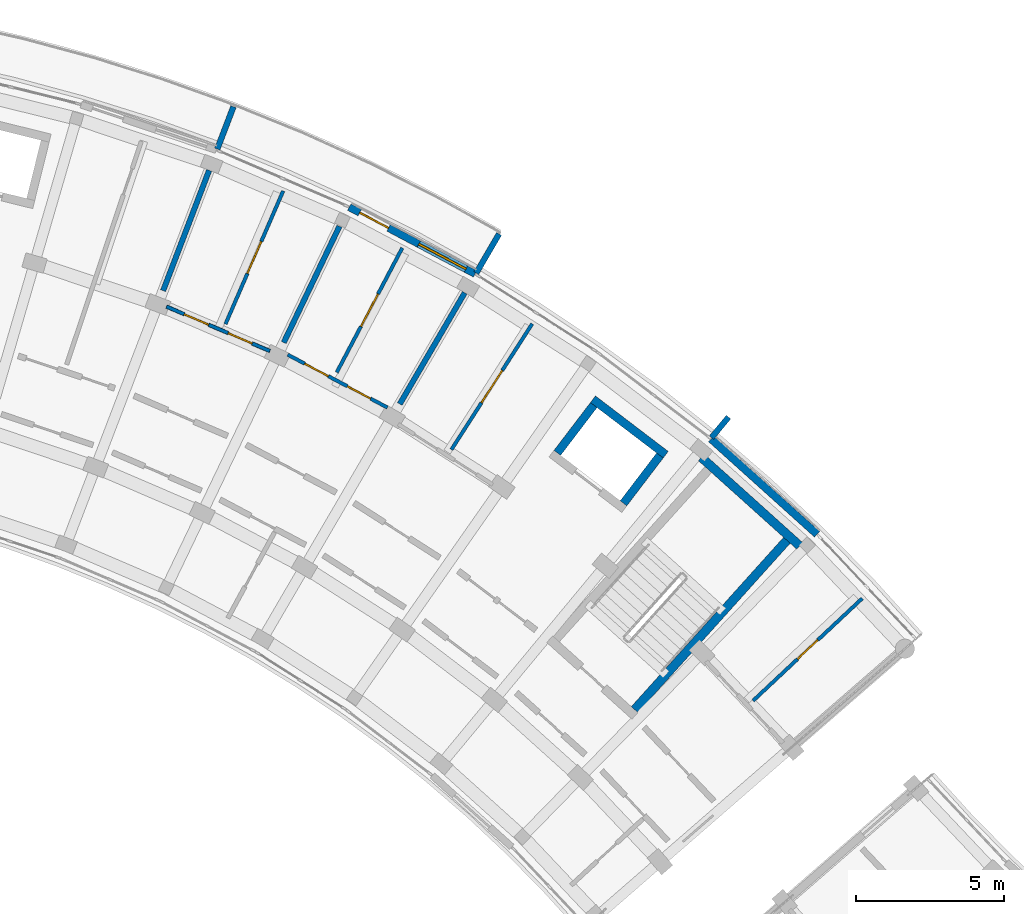
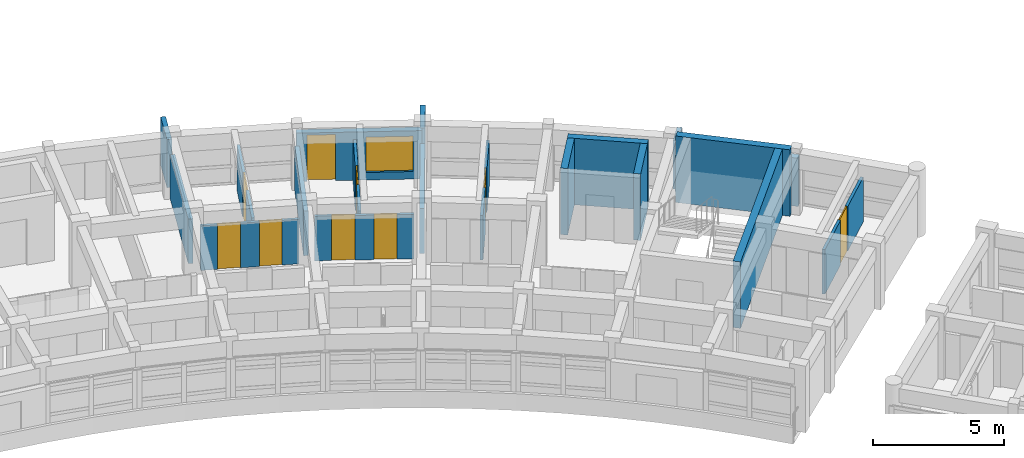
# One storey, part 38 of 50: 19 walls, 9 doors, 1 window, 10 openings.
"""IFC4 building model written with IfcOpenShell, lengths in metres."""

from ifc_helpers import new_model, si_unit, direction, frame, frame_2d, origin, place, context, subcontext, project, spatial, rectangle, extrude, material, layer, layer_set, type_object, element, fill, save


model = new_model("IFC4")

# Units and contexts
model_context = context("Model", 3, precision=1e-05, world=origin(), true_north=direction((0.0, 1.0)))
body_context = subcontext(model_context, "Body", "Model", "MODEL_VIEW")
ifc_project = project(units=[si_unit("LENGTHUNIT", "METRE"), si_unit("AREAUNIT", "SQUARE_METRE"), si_unit("VOLUMEUNIT", "CUBIC_METRE"), si_unit("PLANEANGLEUNIT", "RADIAN"), si_unit("MASSUNIT", "GRAM", prefix="KILO")], contexts=[model_context])

# Site, building, storey
site_placement = place(None, origin())
site = spatial("IfcSite", under=ifc_project, at=site_placement, CompositionType="ELEMENT")
building_placement = place(site_placement, origin())
building = spatial("IfcBuilding", under=site, at=building_placement, Name="Zimvara Arc Housing Community", CompositionType="ELEMENT")
storey_placement = place(building_placement, frame((0.0, 0.0, 26.699951171875)))
storey = spatial("IfcBuildingStorey", under=building, at=storey_placement, Name="L08", CompositionType="ELEMENT", Elevation=26.699951171875)

# Walls
ifc_material_1 = material(Name="Board-Marked Fair-Faced Concrete C35/45", Category="concrete")
ifc_layer_1 = layer(ifc_material_1, 0.195068359375)
ifc_layer_set_1 = layer_set([ifc_layer_1], Name="Board-Marked Fair-Faced Concrete C35/45")
wall_type_1 = type_object("IfcWallType", Name="EWL-PARA-195", PredefinedType="PARAPET", material=ifc_layer_set_1)
for number, where, z_axis, x_axis, name in (
    (1, (66.216796875, 100.0029296875, 0.0), (0.0, 0.0, 1.0), (0.356957296461, 0.934120703391, 0.0), "finwall:blkB:L08:out:b4"),
    (2, (74.961181640625, 95.8134765625, 0.0), (0.0, 0.0, 1.0), (0.504228145431, 0.863570481985, 0.0), "finwall:blkB:L08:out:b6"),
):
    element("IfcWall", number, at=place(storey_placement, frame(where, z_axis=z_axis, x_axis=x_axis)), inside=storey, type_object=wall_type_1, Name=name, PredefinedType="PARAPET", context=body_context, shape_type="SweptSolid", body=[
        extrude(rectangle(XDim=1.530029296875, YDim=0.195068359375, at=frame_2d((0.76513671875, 0.0))), origin(), (0.0, 0.0, 1.0), 2.25),
    ])
wall_1_placement = place(storey_placement, frame((82.90771484375, 90.25732421875, 0.0), z_axis=(0.0, 0.0, 1.0), x_axis=(0.637967316825, 0.770063440674, 0.0)))
element("IfcWall", 3, at=wall_1_placement, inside=storey, type_object=wall_type_1, Name="finwall:blkB:L08:out:b8", PredefinedType="PARAPET", context=body_context, shape_type="SweptSolid", body=[
    extrude(rectangle(XDim=0.900146484375, YDim=0.195068359375, at=frame_2d((0.4501953125, 0.0))), origin(), (0.0, 0.0, 1.0), 2.25),
])

# Wall, openings, door, window
ifc_material_2 = material(Name="Board-Marked Fair-Faced Concrete C35/45", Category="concrete")
ifc_layer_2 = layer(ifc_material_2, 0.248046875)
ifc_layer_set_2 = layer_set([ifc_layer_2], Name="Board-Marked Fair-Faced Concrete C35/45")
wall_type_2 = type_object("IfcWallType", Name="EWL-VAR-17", PredefinedType="SOLIDWALL", material=ifc_layer_set_2)
wall_2_placement = place(storey_placement, frame((70.6748046875, 98.04150390625, 0.0), z_axis=(0.0, 0.0, 1.0), x_axis=(0.883448093208, -0.468529045639, 0.0)))
wall_2 = element("IfcWall", 4, at=wall_2_placement, inside=storey, type_object=wall_type_2, Name="ewall:blkB:L08:out:b5", PredefinedType="SOLIDWALL", context=body_context, shape_type="SweptSolid", body=[
    extrude(rectangle(XDim=4.80908203125, YDim=0.248046875, at=frame_2d((2.404541015625, 0.0))), origin(), (0.0, 0.0, 1.0), 2.25),
])
opening_1_placement = place(wall_2_placement, frame((0.39990234375, 0.0, 0.0)))
opening_1 = element("IfcOpeningElement", 5, at=opening_1_placement, cuts=wall_2, Name="Opening ED06", PredefinedType="OPENING", context=body_context, shape_type="SweptSolid", body=[
    extrude(rectangle(XDim=1.10009765625, YDim=2.14990234375, at=frame_2d((0.550048828125, 1.074951171875))), frame((0.0, 0.134033203125, 0.0), z_axis=(0.0, -1.0, 0.0), x_axis=(1.0, 0.0, 0.0)), (0.0, 0.0, 1.0), 0.26806640625),
])
opening_2_placement = place(wall_2_placement, frame((2.658935546875, 0.0, 0.35009765625)))
opening_2 = element("IfcOpeningElement", 6, at=opening_2_placement, cuts=wall_2, Name="Opening W08", PredefinedType="OPENING", context=body_context, shape_type="SweptSolid", body=[
    extrude(rectangle(XDim=1.800048828125, YDim=1.64990234375, at=frame_2d((0.89990234375, 0.824951171875))), frame((0.0, 0.134033203125, 0.0), z_axis=(0.0, -1.0, 0.0), x_axis=(1.0, 0.0, 0.0)), (0.0, 0.0, 1.0), 0.26806640625),
])
ifc_material_3 = material(Name="Anodised Aluminium AW-6063", Category="aluminium")
door_type_1 = type_object("IfcDoorType", Name="EDR-TERR-1100x2150", OperationType="NOTDEFINED", PredefinedType="DOOR", material=ifc_material_3)
door_1_placement = place(opening_1_placement, origin())
door_1 = element("IfcDoor", 7, at=door_1_placement, inside=storey, type_object=door_type_1, Name="edoor:blkB:L08:bal_out:b5", OperationType="SINGLE_SWING_LEFT", OverallHeight=2.14990234375, OverallWidth=1.10009765625, PredefinedType="DOOR", context=body_context, shape_type="SweptSolid", body=[
    extrude(rectangle(XDim=1.10009765625, YDim=2.14990234375, at=frame_2d((0.550048828125, 1.074951171875))), frame((0.0, 0.02490234375, 0.0), z_axis=(0.0, -1.0, 0.0), x_axis=(1.0, 0.0, 0.0)), (0.0, 0.0, 1.0), 0.050048828125),
])
fill(opening_1, door_1)
ifc_material_4 = material(Name="Solar Control Low-E Double Glazing", Category="glass")
window_type = type_object("IfcWindowType", Name="WIN-RES-1800x1650", PartitioningType="TRIPLE_PANEL_VERTICAL", PredefinedType="WINDOW", material=ifc_material_4)
window_placement = place(opening_2_placement, origin())
window = element("IfcWindow", 8, at=window_placement, inside=storey, type_object=window_type, Name="win:blkB:L08:out:b5:balw", OverallHeight=1.64990234375, OverallWidth=1.800048828125, PartitioningType="TRIPLE_PANEL_VERTICAL", PredefinedType="WINDOW", context=body_context, shape_type="SweptSolid", body=[
    extrude(rectangle(XDim=1.800048828125, YDim=1.64990234375, at=frame_2d((0.89990234375, 0.824951171875))), frame((0.0, 0.030029296875, 0.0), z_axis=(0.0, -1.0, 0.0), x_axis=(1.0, 0.0, 0.0)), (0.0, 0.0, 1.0), 0.06005859375),
])
fill(opening_2, window)

# Walls
ifc_material_5 = material(Name="Board-Marked Fair-Faced Concrete C35/45", Category="concrete")
ifc_layer_3 = layer(ifc_material_5, 0.261962890625)
ifc_layer_set_3 = layer_set([ifc_layer_3], Name="Board-Marked Fair-Faced Concrete C35/45")
wall_type_3 = type_object("IfcWallType", Name="EWL-VAR-20", PredefinedType="SOLIDWALL", material=ifc_layer_set_3)
wall_3_placement = place(storey_placement, frame((82.89697265625, 90.21337890625, 0.0), z_axis=(0.0, 0.0, 1.0), x_axis=(0.743387539862, -0.668860946369, 0.0)))
element("IfcWall", 9, at=wall_3_placement, inside=storey, type_object=wall_type_3, Name="ewall:blkB:L08:out:b8", PredefinedType="SOLIDWALL", context=body_context, shape_type="SweptSolid", body=[
    extrude(rectangle(XDim=4.80908203125, YDim=0.261962890625, at=frame_2d((2.404541015625, 0.0))), origin(), (0.0, 0.0, 1.0), 2.25),
])
ifc_material_6 = material(Name="Concrete C35/45", Category="concrete")
ifc_layer_4 = layer(ifc_material_6, 0.18505859375)
ifc_layer_set_4 = layer_set([ifc_layer_4], Name="Concrete C35/45")
wall_type_4 = type_object("IfcWallType", Name="IWL-FLAT-185", PredefinedType="SOLIDWALL", material=ifc_layer_set_4)
for number, where, z_axis, x_axis, name in (
    (10, (64.388671875, 95.220458984375, 0.0), (0.0, 0.0, 1.0), (0.357064016205, 0.934079915388, 0.0), "iwall:blkB:L08:party:b4"),
    (11, (68.462158203125, 93.469482421875, 0.0), (0.0, 0.0, 1.0), (0.432086898897, 0.901831975371, 0.0), "iwall:blkB:L08:party:b5"),
    (12, (72.37939453125, 91.391845703125, 0.0), (0.0, 0.0, 1.0), (0.504216452091, 0.863577309475, 0.0), "iwall:blkB:L08:party:b6"),
):
    element("IfcWall", number, at=place(storey_placement, frame(where, z_axis=z_axis, x_axis=x_axis)), inside=storey, type_object=wall_type_4, Name=name, PredefinedType="SOLIDWALL", context=body_context, shape_type="SweptSolid", body=[
        extrude(rectangle(XDim=4.35009765625, YDim=0.18505859375, at=frame_2d((2.175048828125, 0.0))), origin(), (0.0, 0.0, 1.0), 2.080078125),
    ])

# Wall, openings, doors
ifc_material_7 = material(Name="Painted Acoustic Plasterboard")
ifc_layer_5 = layer(ifc_material_7, 0.114990234375)
ifc_layer_set_5 = layer_set([ifc_layer_5], Name="Painted Acoustic Plasterboard")
wall_type_5 = type_object("IfcWallType", Name="IWL-PART-115", PredefinedType="PARTITIONING", material=ifc_layer_set_5)
wall_4_placement = place(storey_placement, frame((64.50341796875, 94.681640625, 0.0), z_axis=(0.0, 0.0, 1.0), x_axis=(0.918732171064, -0.394881245253, 0.0)))
wall_4 = element("IfcWall", 13, at=wall_4_placement, inside=storey, type_object=wall_type_5, Name="iwall:blkB:L08:srv:b4", PredefinedType="PARTITIONING", context=body_context, shape_type="SweptSolid", body=[
    extrude(rectangle(XDim=3.79736328125, YDim=0.114990234375, at=frame_2d((1.898681640625, 0.0))), origin(), (0.0, 0.0, 1.0), 2.080078125),
])
opening_3_placement = place(wall_4_placement, frame((0.64990234375, 0.0, 0.0)))
opening_3 = element("IfcOpeningElement", 14, at=opening_3_placement, cuts=wall_4, Name="Opening D01", PredefinedType="OPENING", context=body_context, shape_type="SweptSolid", body=[
    extrude(rectangle(XDim=0.89990234375, YDim=2.10009765625, at=frame_2d((0.449951171875, 1.050048828125))), frame((0.0, 0.0673828125, 0.0), z_axis=(0.0, -1.0, 0.0), x_axis=(1.0, 0.0, 0.0)), (0.0, 0.0, 1.0), 0.135009765625),
])
opening_4_placement = place(wall_4_placement, frame((2.267333984375, 0.0, 0.0)))
opening_4 = element("IfcOpeningElement", 15, at=opening_4_placement, cuts=wall_4, Name="Opening D05", PredefinedType="OPENING", context=body_context, shape_type="SweptSolid", body=[
    extrude(rectangle(XDim=0.8798828125, YDim=2.10009765625, at=frame_2d((0.43994140625, 1.050048828125))), frame((0.0, 0.0673828125, 0.0), z_axis=(0.0, -1.0, 0.0), x_axis=(1.0, 0.0, 0.0)), (0.0, 0.0, 1.0), 0.135009765625),
])
ifc_material_8 = material(Name="Mozambican Hardwood", Category="wood")
door_type_2 = type_object("IfcDoorType", Name="IDR-RM-0900x2100", OperationType="NOTDEFINED", PredefinedType="DOOR", material=ifc_material_8)
door_2_placement = place(opening_3_placement, origin())
door_2 = element("IfcDoor", 16, at=door_2_placement, inside=storey, type_object=door_type_2, Name="idoor:blkB:L08:kit_liv:b4", OperationType="SINGLE_SWING_RIGHT", OverallHeight=2.10009765625, OverallWidth=0.89990234375, PredefinedType="DOOR", context=body_context, shape_type="SweptSolid", body=[
    extrude(rectangle(XDim=0.89990234375, YDim=2.10009765625, at=frame_2d((0.449951171875, 1.050048828125))), frame((0.0, 0.02490234375, 0.0), z_axis=(0.0, -1.0, 0.0), x_axis=(1.0, 0.0, 0.0)), (0.0, 0.0, 1.0), 0.050048828125),
])
fill(opening_3, door_2)
ifc_material_9 = material(Name="Mozambican Hardwood", Category="wood")
door_type_3 = type_object("IfcDoorType", Name="IDR-WC-0880x2100", OperationType="NOTDEFINED", PredefinedType="DOOR", material=ifc_material_9)
door_3_placement = place(opening_4_placement, origin())
door_3 = element("IfcDoor", 17, at=door_3_placement, inside=storey, type_object=door_type_3, Name="idoor:blkB:L08:bath_d:b4", OperationType="SINGLE_SWING_LEFT", OverallHeight=2.10009765625, OverallWidth=0.8798828125, PredefinedType="DOOR", context=body_context, shape_type="SweptSolid", body=[
    extrude(rectangle(XDim=0.8798828125, YDim=2.10009765625, at=frame_2d((0.43994140625, 1.050048828125))), frame((0.0, 0.02490234375, 0.0), z_axis=(0.0, -1.0, 0.0), x_axis=(1.0, 0.0, 0.0)), (0.0, 0.0, 1.0), 0.050048828125),
])
fill(opening_4, door_3)

# Wall, opening, door
ifc_material_10 = material(Name="Painted Acoustic Plasterboard")
ifc_layer_6 = layer(ifc_material_10, 0.1201171875)
ifc_layer_set_6 = layer_set([ifc_layer_6], Name="Painted Acoustic Plasterboard")
wall_type_6 = type_object("IfcWallType", Name="IWL-PART-120", PredefinedType="PARTITIONING", material=ifc_layer_set_6)
wall_5_placement = place(storey_placement, frame((66.494140625, 94.09228515625, 0.0), z_axis=(0.0, 0.0, 1.0), x_axis=(0.397698322092, 0.917516236698, 0.0)))
wall_5 = element("IfcWall", 18, at=wall_5_placement, inside=storey, type_object=wall_type_6, Name="iwall:blkB:L08:bed_div:b4", PredefinedType="PARTITIONING", context=body_context, shape_type="SweptSolid", body=[
    extrude(rectangle(XDim=4.89990234375, YDim=0.1201171875, at=frame_2d((2.449951171875, 0.0))), origin(), (0.0, 0.0, 1.0), 2.080078125),
])
opening_5_placement = place(wall_5_placement, frame((1.860107421875, 0.0, 0.0)))
opening_5 = element("IfcOpeningElement", 19, at=opening_5_placement, cuts=wall_5, Name="Opening D18", PredefinedType="OPENING", context=body_context, shape_type="SweptSolid", body=[
    extrude(rectangle(XDim=1.179931640625, YDim=2.10009765625, at=frame_2d((0.58984375, 1.050048828125))), frame((0.0, 0.070068359375, 0.0), z_axis=(0.0, -1.0, 0.0), x_axis=(1.0, 0.0, 0.0)), (0.0, 0.0, 1.0), 0.14013671875),
])
ifc_material_11 = material(Name="Mozambican Hardwood", Category="wood")
door_type_4 = type_object("IfcDoorType", Name="IDR-MOD-1180x2120", OperationType="NOTDEFINED", PredefinedType="DOOR", material=ifc_material_11)
door_4_placement = place(opening_5_placement, origin())
door_4 = element("IfcDoor", 20, at=door_4_placement, inside=storey, type_object=door_type_4, Name="idoor:blkB:L08:bed_d:b4", OperationType="SINGLE_SWING_RIGHT", OverallHeight=2.10009765625, OverallWidth=1.179931640625, PredefinedType="DOOR", context=body_context, shape_type="SweptSolid", body=[
    extrude(rectangle(XDim=1.179931640625, YDim=2.10009765625, at=frame_2d((0.58984375, 1.050048828125))), frame((0.0, 0.02490234375, 0.0), z_axis=(0.0, -1.0, 0.0), x_axis=(1.0, 0.0, 0.0)), (0.0, 0.0, 1.0), 0.050048828125),
])
fill(opening_5, door_4)

# Wall, openings, doors
wall_6_placement = place(storey_placement, frame((68.59765625, 93.058349609375, 0.0), z_axis=(0.0, 0.0, 1.0), x_axis=(0.883441603894, -0.468541281543, 0.0)))
wall_6 = element("IfcWall", 21, at=wall_6_placement, inside=storey, type_object=wall_type_6, Name="iwall:blkB:L08:srv:b5", PredefinedType="PARTITIONING", context=body_context, shape_type="SweptSolid", body=[
    extrude(rectangle(XDim=3.8095703125, YDim=0.1201171875, at=frame_2d((1.90478515625, 0.0))), origin(), (0.0, 0.0, 1.0), 2.080078125),
])
opening_6_placement = place(wall_6_placement, frame((0.64990234375, 0.0, 0.0)))
opening_6 = element("IfcOpeningElement", 22, at=opening_6_placement, cuts=wall_6, Name="Opening D01", PredefinedType="OPENING", context=body_context, shape_type="SweptSolid", body=[
    extrude(rectangle(XDim=0.89990234375, YDim=2.10009765625, at=frame_2d((0.449951171875, 1.050048828125))), frame((0.0, 0.070068359375, 0.0), z_axis=(0.0, -1.0, 0.0), x_axis=(1.0, 0.0, 0.0)), (0.0, 0.0, 1.0), 0.14013671875),
])
opening_7_placement = place(wall_6_placement, frame((2.279541015625, 0.0, 0.0)))
opening_7 = element("IfcOpeningElement", 23, at=opening_7_placement, cuts=wall_6, Name="Opening D05", PredefinedType="OPENING", context=body_context, shape_type="SweptSolid", body=[
    extrude(rectangle(XDim=0.8798828125, YDim=2.10009765625, at=frame_2d((0.43994140625, 1.050048828125))), frame((0.0, 0.070068359375, 0.0), z_axis=(0.0, -1.0, 0.0), x_axis=(1.0, 0.0, 0.0)), (0.0, 0.0, 1.0), 0.14013671875),
])
door_5_placement = place(opening_6_placement, origin())
door_5 = element("IfcDoor", 24, at=door_5_placement, inside=storey, type_object=door_type_2, Name="idoor:blkB:L08:kit_liv:b5", OperationType="SINGLE_SWING_RIGHT", OverallHeight=2.10009765625, OverallWidth=0.89990234375, PredefinedType="DOOR", context=body_context, shape_type="SweptSolid", body=[
    extrude(rectangle(XDim=0.89990234375, YDim=2.10009765625, at=frame_2d((0.449951171875, 1.050048828125))), frame((0.0, 0.02490234375, 0.0), z_axis=(0.0, -1.0, 0.0), x_axis=(1.0, 0.0, 0.0)), (0.0, 0.0, 1.0), 0.050048828125),
])
fill(opening_6, door_5)
door_6_placement = place(opening_7_placement, origin())
door_6 = element("IfcDoor", 25, at=door_6_placement, inside=storey, type_object=door_type_3, Name="idoor:blkB:L08:bath_d:b5", OperationType="SINGLE_SWING_LEFT", OverallHeight=2.10009765625, OverallWidth=0.8798828125, PredefinedType="DOOR", context=body_context, shape_type="SweptSolid", body=[
    extrude(rectangle(XDim=0.8798828125, YDim=2.10009765625, at=frame_2d((0.43994140625, 1.050048828125))), frame((0.0, 0.02490234375, 0.0), z_axis=(0.0, -1.0, 0.0), x_axis=(1.0, 0.0, 0.0)), (0.0, 0.0, 1.0), 0.050048828125),
])
fill(opening_7, door_6)

# Wall, opening, door
wall_7_placement = place(storey_placement, frame((70.250732421875, 92.458740234375, 0.0), z_axis=(0.0, 0.0, 1.0), x_axis=(0.465865054936, 0.884855779542, 0.0)))
wall_7 = element("IfcWall", 26, at=wall_7_placement, inside=storey, type_object=wall_type_6, Name="iwall:blkB:L08:bed_div:b5", PredefinedType="PARTITIONING", context=body_context, shape_type="SweptSolid", body=[
    extrude(rectangle(XDim=4.75, YDim=0.1201171875, at=frame_2d((2.375, 0.0))), origin(), (0.0, 0.0, 1.0), 2.080078125),
])
opening_8_placement = place(wall_7_placement, frame((1.7548828125, 0.0, 0.0)))
opening_8 = element("IfcOpeningElement", 27, at=opening_8_placement, cuts=wall_7, Name="Opening D19", PredefinedType="OPENING", context=body_context, shape_type="SweptSolid", body=[
    extrude(rectangle(XDim=1.239990234375, YDim=2.10009765625, at=frame_2d((0.6201171875, 1.050048828125))), frame((0.0, 0.070068359375, 0.0), z_axis=(0.0, -1.0, 0.0), x_axis=(1.0, 0.0, 0.0)), (0.0, 0.0, 1.0), 0.14013671875),
])
ifc_material_12 = material(Name="Mozambican Hardwood", Category="wood")
door_type_5 = type_object("IfcDoorType", Name="IDR-MOD-1240x2180", OperationType="NOTDEFINED", PredefinedType="DOOR", material=ifc_material_12)
door_7_placement = place(opening_8_placement, origin())
door_7 = element("IfcDoor", 28, at=door_7_placement, inside=storey, type_object=door_type_5, Name="idoor:blkB:L08:bed_d:b5", OperationType="SINGLE_SWING_RIGHT", OverallHeight=2.10009765625, OverallWidth=1.239990234375, PredefinedType="DOOR", context=body_context, shape_type="SweptSolid", body=[
    extrude(rectangle(XDim=1.239990234375, YDim=2.10009765625, at=frame_2d((0.6201171875, 1.050048828125))), frame((0.0, 0.02490234375, 0.0), z_axis=(0.0, -1.0, 0.0), x_axis=(1.0, 0.0, 0.0)), (0.0, 0.0, 1.0), 0.050048828125),
])
fill(opening_8, door_7)

wall_8_placement = place(storey_placement, frame((74.1240234375, 89.854248046875, 0.0), z_axis=(0.0, 0.0, 1.0), x_axis=(0.5403494769, 0.84144069477, 0.0)))
wall_8 = element("IfcWall", 29, at=wall_8_placement, inside=storey, type_object=wall_type_6, Name="iwall:blkB:L08:bed_div:b6", PredefinedType="PARTITIONING", context=body_context, shape_type="SweptSolid", body=[
    extrude(rectangle(XDim=5.050048828125, YDim=0.1201171875, at=frame_2d((2.52490234375, 0.0))), origin(), (0.0, 0.0, 1.0), 2.080078125),
])
opening_9_placement = place(wall_8_placement, frame((1.875, 0.0, 0.0)))
opening_9 = element("IfcOpeningElement", 30, at=opening_9_placement, cuts=wall_8, Name="Opening D20", PredefinedType="OPENING", context=body_context, shape_type="SweptSolid", body=[
    extrude(rectangle(XDim=1.300048828125, YDim=2.10009765625, at=frame_2d((0.64990234375, 1.050048828125))), frame((0.0, 0.070068359375, 0.0), z_axis=(0.0, -1.0, 0.0), x_axis=(1.0, 0.0, 0.0)), (0.0, 0.0, 1.0), 0.14013671875),
])
ifc_material_13 = material(Name="Mozambican Hardwood", Category="wood")
door_type_6 = type_object("IfcDoorType", Name="IDR-MOD-1300x2240", OperationType="NOTDEFINED", PredefinedType="DOOR", material=ifc_material_13)
door_8_placement = place(opening_9_placement, origin())
door_8 = element("IfcDoor", 31, at=door_8_placement, inside=storey, type_object=door_type_6, Name="idoor:blkB:L08:bed_d:b6", OperationType="SINGLE_SWING_LEFT", OverallHeight=2.10009765625, OverallWidth=1.300048828125, PredefinedType="DOOR", context=body_context, shape_type="SweptSolid", body=[
    extrude(rectangle(XDim=1.300048828125, YDim=2.10009765625, at=frame_2d((0.64990234375, 1.050048828125))), frame((0.0, 0.02490234375, 0.0), z_axis=(0.0, -1.0, 0.0), x_axis=(1.0, 0.0, 0.0)), (0.0, 0.0, 1.0), 0.050048828125),
])
fill(opening_9, door_8)

wall_9_placement = place(storey_placement, frame((84.3125, 81.37451171875, 0.0), z_axis=(0.0, 0.0, 1.0), x_axis=(0.72936983679, 0.684119610288, 0.0)))
wall_9 = element("IfcWall", 32, at=wall_9_placement, inside=storey, type_object=wall_type_6, Name="iwall:blkB:L08:bed_div:b9", PredefinedType="PARTITIONING", context=body_context, shape_type="SweptSolid", body=[
    extrude(rectangle(XDim=5.050048828125, YDim=0.1201171875, at=frame_2d((2.52490234375, 0.0))), origin(), (0.0, 0.0, 1.0), 2.080078125),
])
opening_10_placement = place(wall_9_placement, frame((2.054931640625, 0.0, 0.0)))
opening_10 = element("IfcOpeningElement", 33, at=opening_10_placement, cuts=wall_9, Name="Opening D03", PredefinedType="OPENING", context=body_context, shape_type="SweptSolid", body=[
    extrude(rectangle(XDim=0.93994140625, YDim=2.10009765625, at=frame_2d((0.469970703125, 1.050048828125))), frame((0.0, 0.070068359375, 0.0), z_axis=(0.0, -1.0, 0.0), x_axis=(1.0, 0.0, 0.0)), (0.0, 0.0, 1.0), 0.14013671875),
])
ifc_material_14 = material(Name="Mozambican Hardwood", Category="wood")
door_type_7 = type_object("IfcDoorType", Name="IDR-RM-0940x2100", OperationType="NOTDEFINED", PredefinedType="DOOR", material=ifc_material_14)
door_9_placement = place(opening_10_placement, origin())
door_9 = element("IfcDoor", 34, at=door_9_placement, inside=storey, type_object=door_type_7, Name="idoor:blkB:L08:bed_d:b9", OperationType="SINGLE_SWING_LEFT", OverallHeight=2.10009765625, OverallWidth=0.93994140625, PredefinedType="DOOR", context=body_context, shape_type="SweptSolid", body=[
    extrude(rectangle(XDim=0.93994140625, YDim=2.10009765625, at=frame_2d((0.469970703125, 1.050048828125))), frame((0.0, 0.02490234375, 0.0), z_axis=(0.0, -1.0, 0.0), x_axis=(1.0, 0.0, 0.0)), (0.0, 0.0, 1.0), 0.050048828125),
])
fill(opening_10, door_9)

# Walls
ifc_material_15 = material(Name="Concrete C40/50", Category="concrete")
ifc_layer_7 = layer(ifc_material_15, 0.280029296875)
ifc_layer_set_7 = layer_set([ifc_layer_7], Name="Concrete C40/50")
wall_type_7 = type_object("IfcWallType", Name="WL-CORE-280", PredefinedType="SHEAR", material=ifc_layer_set_7)
wall_10_placement = place(storey_placement, frame((81.361083984375, 89.681396484375, 0.0), z_axis=(0.0, 0.0, 1.0), x_axis=(-0.795502452183, 0.605950368076, 0.0)))
element("IfcWall", 35, at=wall_10_placement, inside=storey, type_object=wall_type_7, Name="lwall:LP-B2:L08:back", PredefinedType="SHEAR", context=body_context, shape_type="SweptSolid", body=[
    extrude(rectangle(XDim=3.08984375, YDim=0.280029296875, at=frame_2d((1.544921875, 0.0))), origin(), (0.0, 0.0, 1.0), 3.10009765625),
])
for number, where, z_axis, x_axis, name in (
    (36, (79.934814453125, 88.0400390625, 0.0), (0.0, 0.0, 1.0), (0.606025097418, 0.795445523779, 0.0), "lwall:LP-B2:L08:left"),
    (37, (77.699462890625, 89.742919921875, 0.0), (0.0, 0.0, 1.0), (0.606025097418, 0.795445523779, 0.0), "lwall:LP-B2:L08:right"),
):
    element("IfcWall", number, at=place(storey_placement, frame(where, z_axis=z_axis, x_axis=x_axis)), inside=storey, type_object=wall_type_7, Name=name, PredefinedType="SHEAR", context=body_context, shape_type="SweptSolid", body=[
        extrude(rectangle(XDim=2.030029296875, YDim=0.280029296875, at=frame_2d((1.01513671875, 0.0))), origin(), (0.0, 0.0, 1.0), 3.10009765625),
    ])
ifc_material_16 = material(Name="Concrete C40/50", Category="concrete")
ifc_layer_8 = layer(ifc_material_16, 0.300048828125)
ifc_layer_set_8 = layer_set([ifc_layer_8], Name="Concrete C40/50")
wall_type_8 = type_object("IfcWallType", Name="WL-CORE-300", PredefinedType="SHEAR", material=ifc_layer_set_8)
wall_11_placement = place(storey_placement, frame((85.887451171875, 86.6005859375, 0.0), z_axis=(0.0, 0.0, 1.0), x_axis=(-0.743400052815, 0.668847038922, 0.0)))
element("IfcWall", 38, at=wall_11_placement, inside=storey, type_object=wall_type_8, Name="cwall:ST-B2:L08:far", PredefinedType="SHEAR", context=body_context, shape_type="SweptSolid", body=[
    extrude(rectangle(XDim=4.469970703125, YDim=0.300048828125, at=frame_2d((2.23486328125, 0.0))), origin(), (0.0, 0.0, 1.0), 3.10009765625),
])
wall_12_placement = place(storey_placement, frame((80.308837890625, 81.073486328125, 0.0), z_axis=(0.0, 0.0, 1.0), x_axis=(0.668885797871, 0.743365179038, 0.0)))
element("IfcWall", 39, at=wall_12_placement, inside=storey, type_object=wall_type_8, Name="cwall:ST-B2:L08:left", PredefinedType="SHEAR", context=body_context, shape_type="SweptSolid", body=[
    extrude(rectangle(XDim=7.690185546875, YDim=0.300048828125, at=frame_2d((3.84521484375, 0.0))), origin(), (0.0, 0.0, 1.0), 3.10009765625),
])

save(model, "model.ifc")
